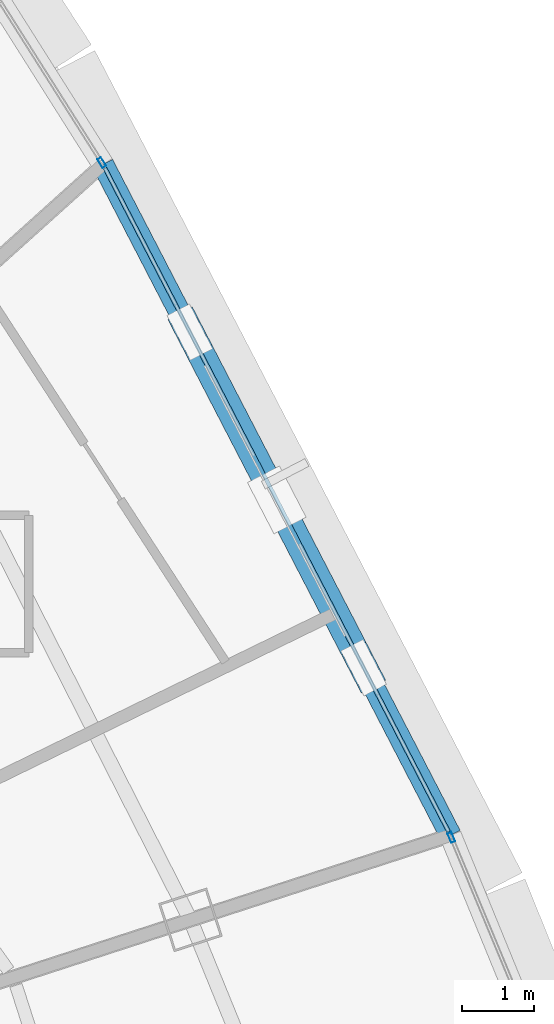
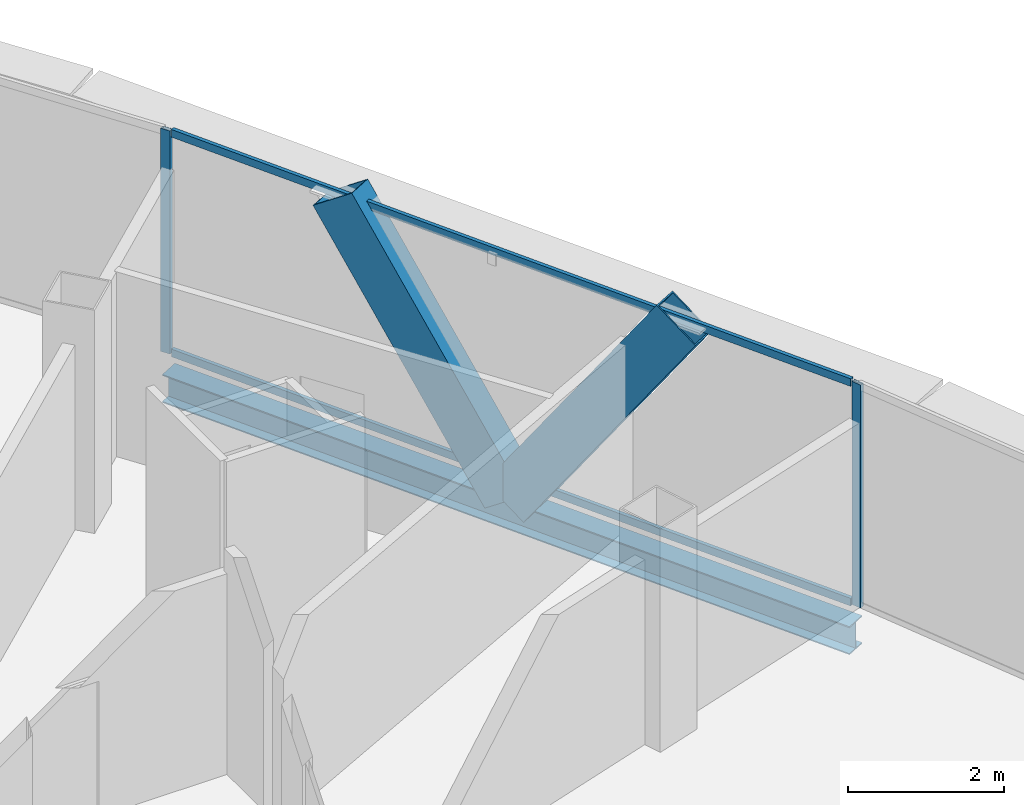
# One storey, part 18 of 33: 6 members, 1 beam, 3 elements without a shape of their own.
"""IFC4 building model written with IfcOpenShell, lengths in metres."""

import ifcopenshell
import ifcopenshell.guid

model = None  # the IFC model being written
_history = None  # IfcOwnerHistory: only IFC2X3 demands one
_inside = {}  # id of a spatial element -> (the spatial element, [elements in it])
_under = {}  # id of a project, library or spatial element -> (it, [spatial elements below it])
_declared = {}  # id of a project -> (the project, [libraries it declares])
_typed = {}  # id of a type object -> (the type object, [elements of that type])
_made_of = {}  # id of a material, layer set ... -> (it, [elements and type objects made of it])


def new_model(schema):
    """Start an empty IFC model of exactly this schema.

    Asked for "IFC4X3", IfcOpenShell would pick the latest addendum, in which some entities
    have other attributes; the version numbers below select the first issue.
    IFC2X3 requires an IfcOwnerHistory on every rooted entity: one is made here for all.
    """
    global model, _history
    if schema == "IFC4X3":
        model = ifcopenshell.file(schema_version=(4, 3, 0, 0))
    else:
        model = ifcopenshell.file(schema=schema)
    _inside.clear()
    _under.clear()
    _declared.clear()
    _typed.clear()
    _made_of.clear()
    _history = None
    if model.schema == "IFC2X3":
        org = make("IfcOrganization", Name="unknown")
        user = make(
            "IfcPersonAndOrganization",
            ThePerson=make("IfcPerson", FamilyName="unknown"),
            TheOrganization=org,
        )
        app = make(
            "IfcApplication",
            ApplicationDeveloper=org,
            Version="unknown",
            ApplicationFullName="unknown",
            ApplicationIdentifier="unknown",
        )
        _history = make(
            "IfcOwnerHistory",
            OwningUser=user,
            OwningApplication=app,
            ChangeAction="ADDED",
            CreationDate=0,
        )
    return model


def make(cls, **values):
    """One entity of the class cls with the attributes given. An attribute that is None is left unset."""
    return model.create_entity(
        cls, **{name: value for name, value in values.items() if value is not None}
    )


def rooted(cls, **values):
    """An entity with a GlobalId (a new one), such as an element, a storey or a relation."""
    return make(cls, GlobalId=ifcopenshell.guid.new(), OwnerHistory=_history, **values)


def si_unit(unit_type, name, prefix=None):
    """IfcSIUnit, for example si_unit("LENGTHUNIT", "METRE", prefix="MILLI")."""
    return make("IfcSIUnit", UnitType=unit_type, Prefix=prefix, Name=name)


def assignment(units):
    """IfcUnitAssignment: the units of a project."""
    return None if units is None else make("IfcUnitAssignment", Units=units)


def point(xyz):
    """IfcCartesianPoint."""
    return None if xyz is None else make("IfcCartesianPoint", Coordinates=xyz)


def direction(xyz):
    """IfcDirection."""
    return None if xyz is None else make("IfcDirection", DirectionRatios=xyz)


def frame(location, z_axis=None, x_axis=None):
    """IfcAxis2Placement3D, a coordinate frame: its origin and axes. An axis left out is left unset."""
    return make(
        "IfcAxis2Placement3D",
        Location=point(location),
        Axis=direction(z_axis),
        RefDirection=direction(x_axis),
    )


def frame_2d(location, x_axis=None):
    """IfcAxis2Placement2D, a coordinate frame in the plane: its origin and x axis."""
    return make(
        "IfcAxis2Placement2D", Location=point(location), RefDirection=direction(x_axis)
    )


def origin():
    """The frame at (0, 0, 0) with its axes left unset."""
    return frame((0.0, 0.0, 0.0))


def origin_2d():
    """The frame at (0, 0) in the plane with its x axis left unset."""
    return frame_2d((0.0, 0.0))


def place(relative_to, where):
    """IfcLocalPlacement: puts the frame where relative to a parent placement (None: the world)."""
    return make(
        "IfcLocalPlacement", PlacementRelTo=relative_to, RelativePlacement=where
    )


def context(
    kind, dimensions, precision=None, world=None, true_north=None, identifier=None
):
    """IfcGeometricRepresentationContext, for example the 3D "Model" context."""
    return make(
        "IfcGeometricRepresentationContext",
        ContextIdentifier=identifier,
        ContextType=kind,
        CoordinateSpaceDimension=dimensions,
        Precision=precision,
        WorldCoordinateSystem=world,
        TrueNorth=true_north,
    )


def subcontext(parent, identifier, kind, view, scale=None):
    """IfcGeometricRepresentationSubContext, for example "Body" below "Model"."""
    return make(
        "IfcGeometricRepresentationSubContext",
        ContextIdentifier=identifier,
        ContextType=kind,
        ParentContext=parent,
        TargetScale=scale,
        TargetView=view,
    )


def project(units=None, contexts=None):
    """IfcProject with its units and contexts."""
    return rooted(
        "IfcProject",
        Name="project",
        RepresentationContexts=contexts,
        UnitsInContext=assignment(units),
    )


def spatial(cls, under=None, at=None, **own):
    """A site, building, storey or space (cls), placed at a placement, below another one or the project."""
    s = rooted(cls, ObjectPlacement=at, **own)
    if under is not None:
        _under.setdefault(under.id(), (under, []))[1].append(s)
    return s


def profile(cls, at=None, kind="AREA", **sizes):
    """A parametric profile (cls). Its sizes go by their IFC names, for example OverallWidth=200.0."""
    return make(cls, ProfileType=kind, Position=at, **sizes)


def hollow_rectangle(**sizes):
    """IfcRectangleHollowProfileDef."""
    return profile("IfcRectangleHollowProfileDef", **sizes)


def i_section(**sizes):
    """IfcIShapeProfileDef."""
    return profile("IfcIShapeProfileDef", **sizes)


def extrude(swept, where, along, depth):
    """IfcExtrudedAreaSolid: the profile swept, set in the frame where, extruded along a direction by depth."""
    return make(
        "IfcExtrudedAreaSolid",
        SweptArea=swept,
        Position=where,
        ExtrudedDirection=direction(along),
        Depth=depth,
    )


def shape(context_of_items, identifier, shape_type, items):
    """IfcShapeRepresentation: the items that make up one representation, for example the "Body"."""
    return make(
        "IfcShapeRepresentation",
        ContextOfItems=context_of_items,
        RepresentationIdentifier=identifier,
        RepresentationType=shape_type,
        Items=items,
    )


def source(mapping_origin, context_of_items, identifier, shape_type, items):
    """IfcRepresentationMap: a shape defined once, which mapped items show again and again."""
    return make(
        "IfcRepresentationMap",
        MappingOrigin=mapping_origin,
        MappedRepresentation=shape(context_of_items, identifier, shape_type, items),
    )


def transform(
    local_origin,
    x_axis=None,
    y_axis=None,
    z_axis=None,
    scale=None,
    scale2=None,
    scale3=None,
    uniform=True,
):
    """IfcCartesianTransformationOperator3D, or its non-uniform kind. x_axis, y_axis, z_axis: its Axis1, 2, 3."""
    if uniform:
        return make(
            "IfcCartesianTransformationOperator3D",
            Axis1=direction(x_axis),
            Axis2=direction(y_axis),
            LocalOrigin=point(local_origin),
            Scale=scale,
            Axis3=direction(z_axis),
        )
    return make(
        "IfcCartesianTransformationOperator3DnonUniform",
        Axis1=direction(x_axis),
        Axis2=direction(y_axis),
        LocalOrigin=point(local_origin),
        Scale=scale,
        Axis3=direction(z_axis),
        Scale2=scale2,
        Scale3=scale3,
    )


def mapped(mapping_source, mapping_target):
    """IfcMappedItem: shows the shape of a source again, moved by a transform."""
    return make(
        "IfcMappedItem", MappingSource=mapping_source, MappingTarget=mapping_target
    )


def material(Name=None, Category=None):
    """IfcMaterial."""
    return make("IfcMaterial", Name=Name, Category=Category)


def layer(
    of_material, thickness, ventilated=None, Name=None, Category=None, Priority=None
):
    """IfcMaterialLayer: one layer of a wall or slab, of a material (None: an air gap)."""
    return make(
        "IfcMaterialLayer",
        Material=of_material,
        LayerThickness=thickness,
        IsVentilated=ventilated,
        Name=Name,
        Category=Category,
        Priority=Priority,
    )


def layer_set(layers, Name=None):
    """IfcMaterialLayerSet."""
    return make("IfcMaterialLayerSet", MaterialLayers=layers, LayerSetName=Name)


def material_profile(
    of_material, cross_section, Name=None, Category=None, Priority=None
):
    """IfcMaterialProfile: a cross section and its material."""
    return make(
        "IfcMaterialProfile",
        Name=Name,
        Material=of_material,
        Profile=cross_section,
        Priority=Priority,
        Category=Category,
    )


def profile_set(profiles, Name=None, composite=None):
    """IfcMaterialProfileSet."""
    return make(
        "IfcMaterialProfileSet",
        Name=Name,
        MaterialProfiles=profiles,
        CompositeProfile=composite,
    )


def made_of(thing, what):
    """Note that an element or type object is made of a material, layer set ...; save() writes the relation."""
    if what is not None:
        _made_of.setdefault(what.id(), (what, []))[1].append(thing)
    return thing


def type_object(cls, material=None, **own):
    """A type object (cls), such as IfcWallType, which elements share."""
    return made_of(rooted(cls, **own), material)


def element(
    cls,
    number,
    at=None,
    inside=None,
    cuts=None,
    type_object=None,
    material=None,
    context=None,
    identifier="Body",
    shape_type=None,
    held_by="IfcProductDefinitionShape",
    body=None,
    shapes=None,
    **own,
):
    """One element of the class cls, such as IfcWall. Its Tag is "e" and its number.

    at: its placement. inside: the storey or other place that contains it. cuts: it is an
    opening in that element (IfcRelVoidsElement). A single representation is given by context,
    identifier, shape_type and body (its items); several are given by shapes. held_by: the class
    of the entity that holds the representations. save() writes the other relations.
    """
    e = rooted(cls, Tag="e%d" % number, ObjectPlacement=at, **own)
    if body is not None:
        shapes = [shape(context, identifier, shape_type, body)]
    if shapes is not None:
        e.Representation = make(held_by, Representations=shapes)
    if inside is not None:
        _inside.setdefault(inside.id(), (inside, []))[1].append(e)
    if cuts is not None:
        rooted(
            "IfcRelVoidsElement", RelatingBuildingElement=cuts, RelatedOpeningElement=e
        )
    if type_object is not None:
        _typed.setdefault(type_object.id(), (type_object, []))[1].append(e)
    return made_of(e, material)


def aggregate(whole, parts):
    """IfcRelAggregates: a whole, such as a stair, and the parts it consists of."""
    return rooted("IfcRelAggregates", RelatingObject=whole, RelatedObjects=parts)


def save(model, path):
    """Write the relations noted so far, then the file.

    IfcRelAggregates (storeys below a building ...), IfcRelContainedInSpatialStructure (elements
    in a storey), IfcRelDefinesByType, IfcRelAssociatesMaterial and IfcRelDeclares: one each for
    every whole, place, type object, material and project.
    """
    for whole, parts in _under.values():
        aggregate(whole, parts)
    for where, things in _inside.values():
        rooted(
            "IfcRelContainedInSpatialStructure",
            RelatedElements=things,
            RelatingStructure=where,
        )
    for kind, things in _typed.values():
        rooted("IfcRelDefinesByType", RelatedObjects=things, RelatingType=kind)
    for what, things in _made_of.values():
        rooted("IfcRelAssociatesMaterial", RelatedObjects=things, RelatingMaterial=what)
    for by, libraries in _declared.values():
        rooted("IfcRelDeclares", RelatingContext=by, RelatedDefinitions=libraries)
    model.write(path)


model = new_model("IFC4")

# Units and contexts
model_context = context("Model", 3, precision=1e-05, world=origin(), true_north=direction((0.0, 1.0)))
body_context = subcontext(model_context, "Body", "Model", "MODEL_VIEW")
ifc_project = project(units=[si_unit("LENGTHUNIT", "METRE"), si_unit("AREAUNIT", "SQUARE_METRE"), si_unit("VOLUMEUNIT", "CUBIC_METRE"), si_unit("PLANEANGLEUNIT", "RADIAN"), si_unit("MASSUNIT", "GRAM", prefix="KILO"), si_unit("THERMODYNAMICTEMPERATUREUNIT", "KELVIN"), si_unit("POWERUNIT", "WATT")], contexts=[model_context])

# Site, building, storey
site_placement = place(None, origin())
site = spatial("IfcSite", under=ifc_project, at=site_placement, CompositionType="ELEMENT")
building_placement = place(site_placement, origin())
building = spatial("IfcBuilding", under=site, at=building_placement, Name="Yunzhuo Pagoda Commons", CompositionType="ELEMENT")
storey_placement = place(building_placement, frame((0.0, 0.0, 329.260009765625)))
storey = spatial("IfcBuildingStorey", under=building, at=storey_placement, Name="L82", CompositionType="ELEMENT", Elevation=329.260009765625)

# Beam
ifc_material_1 = material(Name="Structural steel Q355B", Category="steel")
ifc_material_profile_1 = material_profile(ifc_material_1, i_section(OverallWidth=0.300048828125, OverallDepth=0.43994140625, WebThickness=0.010986328125, FlangeThickness=0.01806640625, at=origin_2d()), Name="Structural steel Q355B")
ifc_profile_set_1 = profile_set([ifc_material_profile_1], Name="Structural steel Q355B")
beam_type = type_object("IfcBeamType", Name="B-SP2 Beam HM 440x300x11x18", PredefinedType="BEAM", material=ifc_profile_set_1)
shared_shape_1 = source(origin(), body_context, "Body", "SweptSolid", [
    extrude(i_section(OverallWidth=0.300048828125, OverallDepth=0.43994140625, WebThickness=0.010986328125, FlangeThickness=0.01806640625, at=origin_2d()), origin(), (0.0, 0.0, 1.0), 10.453369140625),
])
beam_placement = place(storey_placement, frame((71.651611328125, 41.385009765625, -0.47998046875), z_axis=(-0.459938764451, 0.887950636553, 0.0), x_axis=(-0.887950636553, -0.459938764451, 0.0)))
element("IfcBeam", 1, at=beam_placement, inside=storey, type_object=beam_type, Name="L82 facade edge spandrel beam F2.2", PredefinedType="BEAM", context=body_context, shape_type="MappedRepresentation", body=[
    mapped(shared_shape_1, transform((0.0, 0.0, 0.0), scale=1.0)),
])

# Members
ifc_material_profile_2 = material_profile(ifc_material_1, hollow_rectangle(XDim=0.3798828125, YDim=0.719970703125, WallThickness=0.02001953125, at=origin_2d()), Name="Structural steel Q355B")
ifc_profile_set_2 = profile_set([ifc_material_profile_2], Name="Structural steel Q355B")
member_type_1 = type_object("IfcMemberType", Name="M-DL3 Brace BOX 720x380x20", PredefinedType="BRACE", material=ifc_profile_set_2)
shared_shape_2 = source(origin(), body_context, "Body", "SweptSolid", [
    extrude(hollow_rectangle(XDim=0.3798828125, YDim=0.719970703125, WallThickness=0.02001953125, at=origin_2d()), origin(), (0.0, 0.0, 1.0), 4.57080078125),
])
member_1_placement = place(storey_placement, frame((69.247802734375, 46.02587890625, -0.260009765625), z_axis=(0.262953700016, -0.507693463061, 0.820428363243), x_axis=(0.887965115097, 0.459910811323, 0.0)))
element("IfcMember", 2, at=member_1_placement, inside=storey, type_object=member_type_1, Name="L82 facade diamond brace F2.2L", PredefinedType="BRACE", context=body_context, shape_type="MappedRepresentation", body=[
    mapped(shared_shape_2, transform((0.0, 0.0, 0.0), scale=1.0)),
])
shared_shape_3 = source(origin(), body_context, "Body", "SweptSolid", [
    extrude(hollow_rectangle(XDim=0.3798828125, YDim=0.719970703125, WallThickness=0.02001953125, at=origin_2d()), origin(), (0.0, 0.0, 1.0), 4.571044921875),
])
member_2_placement = place(storey_placement, frame((69.247802734375, 46.02587890625, -0.260009765625), z_axis=(-0.262996287127, 0.507725975919, 0.820394591849), x_axis=(-0.88794672524, -0.459946315493, 0.0)))
element("IfcMember", 3, at=member_2_placement, inside=storey, type_object=member_type_1, Name="L82 facade diamond brace F2.2R", PredefinedType="BRACE", context=body_context, shape_type="MappedRepresentation", body=[
    mapped(shared_shape_3, transform((0.0, 0.0, 0.0), scale=1.0)),
])

# Curtain wall, member
ifc_material_2 = material(Name="Anodized aluminium 6063-T6", Category="aluminium")
ifc_layer = layer(ifc_material_2, 0.139892578125)
ifc_layer_set = layer_set([ifc_layer], Name="Anodized aluminium 6063-T6")
curtain_wall_type = type_object("IfcCurtainWallType", Name="CW-HI High-Zone Ribbon Curtain Wall", PredefinedType="NOTDEFINED", material=ifc_layer_set)
curtain_wall_1_placement = place(storey_placement, origin())
curtain_wall_1 = element("IfcCurtainWall", 4, at=curtain_wall_1_placement, inside=storey, type_object=curtain_wall_type, Name="L82 curtain wall CW-L82-F2B2", PredefinedType="NOTDEFINED")
ifc_material_profile_3 = material_profile(ifc_material_2, hollow_rectangle(XDim=0.06005859375, YDim=0.139892578125, WallThickness=0.00341796875, at=origin_2d()), Name="Anodized aluminium 6063-T6")
ifc_profile_set_3 = profile_set([ifc_material_profile_3], Name="Anodized aluminium 6063-T6")
member_type_2 = type_object("IfcMemberType", Name="CW-HI-M Mullion RHS 140x60x3.5", PredefinedType="MULLION", material=ifc_profile_set_3)
shared_shape_4 = source(origin(), body_context, "Body", "SweptSolid", [
    extrude(hollow_rectangle(XDim=0.06005859375, YDim=0.139892578125, WallThickness=0.00341796875, at=origin_2d()), origin(), (0.0, 0.0, 1.0), 3.489990234375),
])
member_3_placement = place(storey_placement, frame((71.663330078125, 41.357177734375, 0.0), z_axis=(0.0, 0.0, 1.0), x_axis=(-0.923407166951, -0.383821838909, 0.0)))
member_3 = element("IfcMember", 5, at=member_3_placement, type_object=member_type_2, Name="CW mullion 2", PredefinedType="MULLION", context=body_context, shape_type="MappedRepresentation", body=[
    mapped(shared_shape_4, transform((0.0, 0.0, 0.0), scale=1.0)),
])
aggregate(curtain_wall_1, [member_3])

curtain_wall_2_placement = place(storey_placement, origin())
curtain_wall_2 = element("IfcCurtainWall", 6, at=curtain_wall_2_placement, inside=storey, type_object=curtain_wall_type, Name="L82 curtain wall CW-L82-F2B4", PredefinedType="NOTDEFINED")
member_4_placement = place(storey_placement, frame((66.82763671875, 50.6923828125, 0.0), z_axis=(0.0, 0.0, 1.0), x_axis=(-0.845148830397, -0.534531060349, 0.0)))
member_4 = element("IfcMember", 7, at=member_4_placement, type_object=member_type_2, Name="CW mullion 1", PredefinedType="MULLION", context=body_context, shape_type="MappedRepresentation", body=[
    mapped(shared_shape_4, transform((0.0, 0.0, 0.0), scale=1.0)),
])
aggregate(curtain_wall_2, [member_4])

# Curtain wall, members
curtain_wall_3_placement = place(storey_placement, origin())
curtain_wall_3 = element("IfcCurtainWall", 8, at=curtain_wall_3_placement, inside=storey, type_object=curtain_wall_type, Name="L82 curtain wall CW-L82-F2B3", PredefinedType="NOTDEFINED")
ifc_material_profile_4 = material_profile(ifc_material_2, hollow_rectangle(XDim=0.054931640625, YDim=0.1201171875, WallThickness=0.00341796875, at=origin_2d()), Name="Anodized aluminium 6063-T6")
ifc_profile_set_4 = profile_set([ifc_material_profile_4], Name="Anodized aluminium 6063-T6")
member_type_3 = type_object("IfcMemberType", Name="CW-HI-T Transom RHS 120x55x3.5", PredefinedType="USERDEFINED", material=ifc_profile_set_4)
shared_shape_5 = source(origin(), body_context, "Body", "SweptSolid", [
    extrude(hollow_rectangle(XDim=0.054931640625, YDim=0.1201171875, WallThickness=0.00341796875, at=origin_2d()), origin(), (0.0, 0.0, 1.0), 10.33349609375),
])
member_5_placement = place(storey_placement, frame((71.6240234375, 41.438232421875, 0.027587890625), z_axis=(-0.459926104171, 0.887957194183, 0.0), x_axis=(-0.887957194183, -0.459926104171, 0.0)))
member_5 = element("IfcMember", 9, at=member_5_placement, type_object=member_type_3, Name="CW transom 1.1", ObjectType="TRANSOM", PredefinedType="USERDEFINED", context=body_context, shape_type="MappedRepresentation", body=[
    mapped(shared_shape_5, transform((0.0, 0.0, 0.0), scale=1.0)),
])
member_6_placement = place(storey_placement, frame((71.6240234375, 41.438232421875, 3.46240234375), z_axis=(-0.459926104171, 0.887957194183, 0.0), x_axis=(-0.887957194183, -0.459926104171, 0.0)))
member_6 = element("IfcMember", 10, at=member_6_placement, type_object=member_type_3, Name="CW transom 1.2", ObjectType="TRANSOM", PredefinedType="USERDEFINED", context=body_context, shape_type="MappedRepresentation", body=[
    mapped(shared_shape_5, transform((0.0, 0.0, 0.0), scale=1.0)),
])
aggregate(curtain_wall_3, [member_5, member_6])

save(model, "model.ifc")
